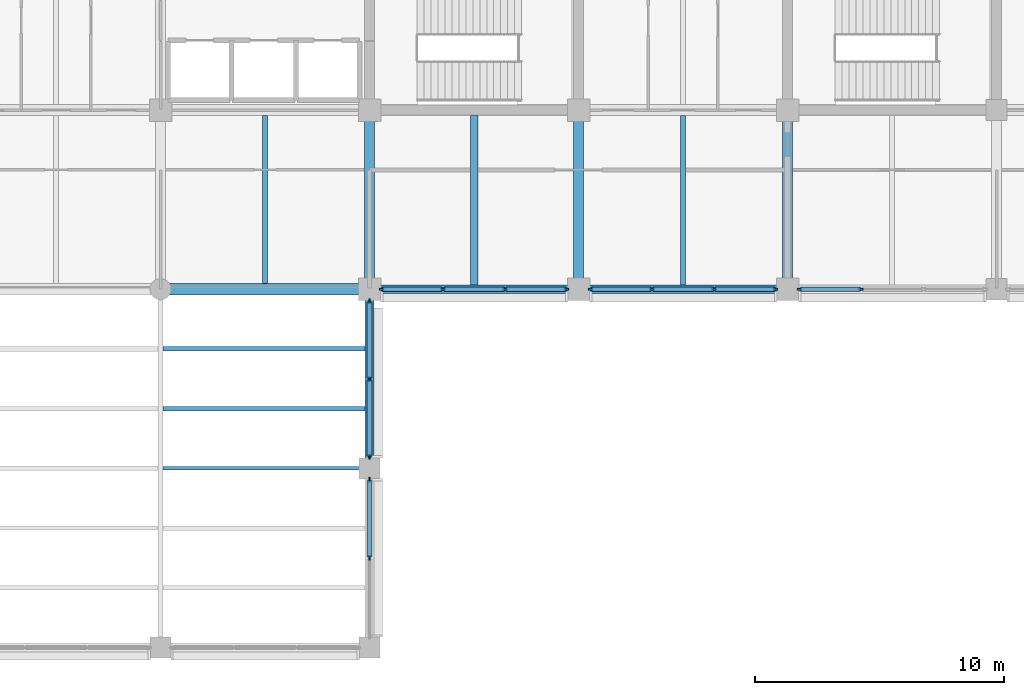
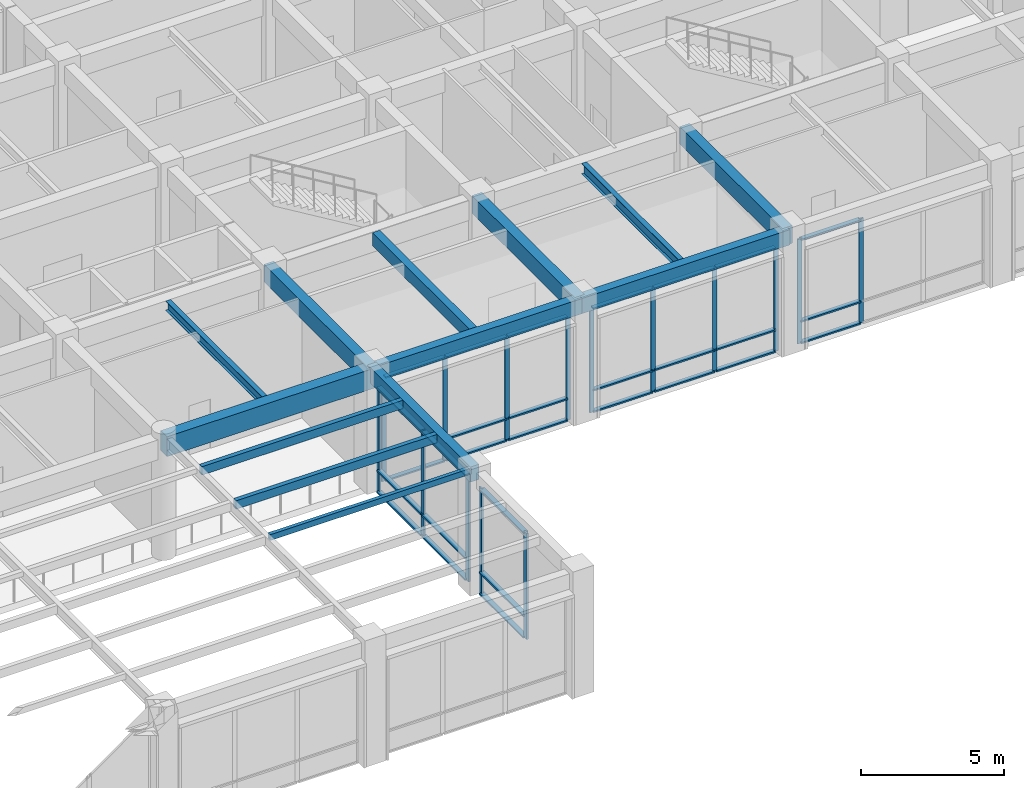
# One storey, part 12 of 58: 47 members, 11 beams, 5 elements without a shape of their own.
"""IFC4 building model written with IfcOpenShell, lengths in metres."""

from ifc_helpers import new_model, si_unit, direction, frame, origin, origin_2d, place, context, subcontext, project, spatial, rectangle, hollow_rectangle, i_section, extrude, material, layer, layer_set, material_profile, profile_set, type_object, element, aggregate, save


model = new_model("IFC4")

# Units and contexts
model_context = context("Model", 3, precision=1e-05, world=origin(), true_north=direction((0.0, 1.0)))
body_context = subcontext(model_context, "Body", "Model", "MODEL_VIEW")
ifc_project = project(units=[si_unit("LENGTHUNIT", "METRE"), si_unit("AREAUNIT", "SQUARE_METRE"), si_unit("VOLUMEUNIT", "CUBIC_METRE"), si_unit("PLANEANGLEUNIT", "RADIAN"), si_unit("MASSUNIT", "GRAM", prefix="KILO")], contexts=[model_context])

# Site, building, storey
site_placement = place(None, origin())
site = spatial("IfcSite", under=ifc_project, at=site_placement, CompositionType="ELEMENT")
building_placement = place(site_placement, origin())
building = spatial("IfcBuilding", under=site, at=building_placement, Name="Chengyuan Square Courthouse", CompositionType="ELEMENT")
storey_placement = place(building_placement, frame((0.0, 0.0, 16.199951171875)))
storey = spatial("IfcBuildingStorey", under=building, at=storey_placement, Name="L04", CompositionType="ELEMENT", Elevation=16.199951171875)

# Beams
ifc_material_1 = material(Name="Concrete C40", Category="concrete")
ifc_material_profile_1 = material_profile(ifc_material_1, rectangle(XDim=0.449951171875, YDim=0.85009765625, at=origin_2d()), Name="RC-BM-450x850")
ifc_profile_set_1 = profile_set([ifc_material_profile_1], Name="Concrete C40")
beam_type_1 = type_object("IfcBeamType", Name="BM-01", PredefinedType="USERDEFINED", material=ifc_profile_set_1)
beam_1_placement = place(storey_placement, frame((92.39990234375, 79.199951171875, 4.695068359375), z_axis=(1.0, 0.0, 0.0), x_axis=(0.0, 1.0, 0.0)))
element("IfcBeam", 1, at=beam_1_placement, inside=storey, type_object=beam_type_1, Name="Girder BM-L04-2872", ObjectType="GIRDER", PredefinedType="USERDEFINED", context=body_context, shape_type="SweptSolid", body=[
    extrude(rectangle(XDim=0.449951171875, YDim=0.85009765625, at=origin_2d()), origin(), (0.0, 0.0, 1.0), 8.400146484375),
])
ifc_material_profile_2 = material_profile(ifc_material_1, rectangle(XDim=0.39990234375, YDim=0.75, at=origin_2d()), Name="RC-BM-400x750")
ifc_profile_set_2 = profile_set([ifc_material_profile_2], Name="Concrete C40")
beam_type_2 = type_object("IfcBeamType", Name="BM-02", PredefinedType="USERDEFINED", material=ifc_profile_set_2)
for number, where, z_axis, x_axis, name in (
    (2, (100.800048828125, 79.199951171875, 4.7451171875), (0.0, 1.0, 0.0), (-1.0, 0.0, 0.0), "Girder BM-L04-3042"),
    (3, (109.199951171875, 79.199951171875, 4.7451171875), (0.0, 1.0, 0.0), (-1.0, 0.0, 0.0), "Girder BM-L04-3047"),
    (4, (117.60009765625, 79.199951171875, 4.7451171875), (0.0, 1.0, 0.0), (-1.0, 0.0, 0.0), "Girder BM-L04-3052"),
):
    element("IfcBeam", number, at=place(storey_placement, frame(where, z_axis=z_axis, x_axis=x_axis)), inside=storey, type_object=beam_type_2, Name=name, ObjectType="GIRDER", PredefinedType="USERDEFINED", context=body_context, shape_type="SweptSolid", body=[
        extrude(rectangle(XDim=0.39990234375, YDim=0.75, at=origin_2d()), origin(), (0.0, 0.0, 1.0), 7.199951171875),
    ])
ifc_material_profile_3 = material_profile(ifc_material_1, rectangle(XDim=0.35009765625, YDim=0.64990234375, at=origin_2d()), Name="RC-BM-350x650")
ifc_profile_set_3 = profile_set([ifc_material_profile_3], Name="Concrete C40")
beam_type_3 = type_object("IfcBeamType", Name="BM-03", PredefinedType="SPANDREL", material=ifc_profile_set_3)
beam_2_placement = place(storey_placement, frame((100.800048828125, 79.199951171875, 4.795166015625), z_axis=(1.0, 0.0, 0.0), x_axis=(0.0, 1.0, 0.0)))
element("IfcBeam", 5, at=beam_2_placement, inside=storey, type_object=beam_type_3, Name="Girder BM-L04-2873", PredefinedType="SPANDREL", context=body_context, shape_type="SweptSolid", body=[
    extrude(rectangle(XDim=0.35009765625, YDim=0.64990234375, at=origin_2d()), origin(), (0.0, 0.0, 1.0), 8.39990234375),
])
beam_3_placement = place(storey_placement, frame((109.199951171875, 79.199951171875, 4.795166015625), z_axis=(1.0, 0.0, 0.0), x_axis=(0.0, 1.0, 0.0)))
element("IfcBeam", 6, at=beam_3_placement, inside=storey, type_object=beam_type_3, Name="Girder BM-L04-2874", PredefinedType="SPANDREL", context=body_context, shape_type="SweptSolid", body=[
    extrude(rectangle(XDim=0.35009765625, YDim=0.64990234375, at=origin_2d()), origin(), (0.0, 0.0, 1.0), 8.400146484375),
])
beam_4_placement = place(storey_placement, frame((100.800048828125, 72.0, 4.85498046875), z_axis=(0.0, 1.0, 0.0), x_axis=(-1.0, 0.0, 0.0)))
element("IfcBeam", 7, at=beam_4_placement, inside=storey, type_object=beam_type_3, Name="Girder BM-L04-3041", PredefinedType="SPANDREL", context=body_context, shape_type="SweptSolid", body=[
    extrude(rectangle(XDim=0.35009765625, YDim=0.64990234375, at=origin_2d()), origin(), (0.0, 0.0, 1.0), 7.199951171875),
])
ifc_material_profile_4 = material_profile(ifc_material_1, rectangle(XDim=0.300048828125, YDim=0.550048828125, at=origin_2d()), Name="RC-BM-300x550")
ifc_profile_set_4 = profile_set([ifc_material_profile_4], Name="Concrete C40")
beam_type_4 = type_object("IfcBeamType", Name="BM-04", PredefinedType="BEAM", material=ifc_profile_set_4)
beam_5_placement = place(storey_placement, frame((105.0, 79.375, 4.844970703125), z_axis=(0.0, 1.0, 0.0), x_axis=(-1.0, 0.0, 0.0)))
element("IfcBeam", 8, at=beam_5_placement, inside=storey, type_object=beam_type_4, Name="Secondary Floor Beam SBM-L04-3152", PredefinedType="BEAM", context=body_context, shape_type="SweptSolid", body=[
    extrude(rectangle(XDim=0.300048828125, YDim=0.550048828125, at=origin_2d()), origin(), (0.0, 0.0, 1.0), 6.800048828125),
])
ifc_material_2 = material(Name="Steel Q355B", Category="steel")
ifc_material_profile_5 = material_profile(ifc_material_2, i_section(OverallWidth=0.199951171875, OverallDepth=0.449951171875, WebThickness=0.009033203125, FlangeThickness=0.013916015625, at=origin_2d()), Name="HN 450x200x9x14")
ifc_profile_set_5 = profile_set([ifc_material_profile_5], Name="Steel Q355B")
beam_type_5 = type_object("IfcBeamType", Name="BM-06", PredefinedType="BEAM", material=ifc_profile_set_5)
beam_6_placement = place(storey_placement, frame((113.39990234375, 79.375, 4.89501953125), z_axis=(0.0, 1.0, 0.0), x_axis=(-1.0, 0.0, 0.0)))
element("IfcBeam", 9, at=beam_6_placement, inside=storey, type_object=beam_type_5, Name="Secondary Floor Beam SBM-L04-3155", PredefinedType="BEAM", context=body_context, shape_type="SweptSolid", body=[
    extrude(i_section(OverallWidth=0.199951171875, OverallDepth=0.449951171875, WebThickness=0.009033203125, FlangeThickness=0.013916015625, at=origin_2d()), origin(), (0.0, 0.0, 1.0), 6.800048828125),
])
ifc_material_profile_6 = material_profile(ifc_material_2, i_section(OverallWidth=0.199951171875, OverallDepth=0.39990234375, WebThickness=0.008056640625, FlangeThickness=0.012939453125, at=origin_2d()), Name="HN 400x200x8x13")
ifc_profile_set_6 = profile_set([ifc_material_profile_6], Name="Steel Q355B")
beam_type_6 = type_object("IfcBeamType", Name="BM-07", PredefinedType="BEAM", material=ifc_profile_set_6)
beam_7_placement = place(storey_placement, frame((96.60009765625, 79.425048828125, 4.920166015625), z_axis=(0.0, 1.0, 0.0), x_axis=(-1.0, 0.0, 0.0)))
element("IfcBeam", 10, at=beam_7_placement, inside=storey, type_object=beam_type_6, Name="Secondary Floor Beam SBM-L04-3148", PredefinedType="BEAM", context=body_context, shape_type="SweptSolid", body=[
    extrude(i_section(OverallWidth=0.199951171875, OverallDepth=0.39990234375, WebThickness=0.008056640625, FlangeThickness=0.012939453125, at=origin_2d()), origin(), (0.0, 0.0, 1.0), 6.75),
])
ifc_material_profile_7 = material_profile(ifc_material_2, hollow_rectangle(XDim=0.14990234375, YDim=0.25, WallThickness=0.010009765625, at=origin_2d()), Name="RHS 250x150x10")
ifc_profile_set_7 = profile_set([ifc_material_profile_7], Name="Steel Q355B")
beam_type_7 = type_object("IfcBeamType", Name="BM-10", PredefinedType="BEAM", material=ifc_profile_set_7)
beam_8_placement = place(storey_placement, frame((92.5, 72.0, 5.054931640625), z_axis=(1.0, 0.0, 0.0), x_axis=(0.0, 1.0, 0.0)))
element("IfcBeam", 11, at=beam_8_placement, inside=storey, type_object=beam_type_7, Name="Skylight Framing Beam SKB-L04-18", PredefinedType="BEAM", context=body_context, shape_type="SweptSolid", body=[
    extrude(hollow_rectangle(XDim=0.14990234375, YDim=0.25, WallThickness=0.010009765625, at=origin_2d()), origin(), (0.0, 0.0, 1.0), 8.125),
])

# Curtain wall, members
ifc_material_3 = material(Name="Unitised Aluminium and Triple Low-E Glass", Category="aluminium")
ifc_layer_1 = layer(ifc_material_3, 0.179931640625)
ifc_layer_set_1 = layer_set([ifc_layer_1], Name="Unitised Aluminium and Triple Low-E Glass")
curtain_wall_type_1 = type_object("IfcCurtainWallType", Name="CW-10", PredefinedType="USERDEFINED", material=ifc_layer_set_1)
curtain_wall_1_placement = place(storey_placement, origin())
curtain_wall_1 = element("IfcCurtainWall", 12, at=curtain_wall_1_placement, inside=storey, type_object=curtain_wall_type_1, Name="Unitised Curtain Wall CW-L04-148", ObjectType="UNITISED CURTAIN WALL", PredefinedType="USERDEFINED")
ifc_material_4 = material(Name="Aluminium 6063-T6 Frame", Category="aluminium")
ifc_material_profile_8 = material_profile(ifc_material_4, rectangle(XDim=0.06494140625, YDim=0.179931640625, at=origin_2d()), Name="CW-MUL-65x180")
ifc_profile_set_8 = profile_set([ifc_material_profile_8], Name="Aluminium 6063-T6 Frame")
member_type_1 = type_object("IfcMemberType", Name="CWM-02", PredefinedType="MULLION", material=ifc_profile_set_8)
member_1_placement = place(storey_placement, frame((101.282470703125, 79.199951171875, 0.0), z_axis=(0.0, 0.0, 1.0), x_axis=(0.0, 1.0, 0.0)))
member_1 = element("IfcMember", 13, at=member_1_placement, type_object=member_type_1, Name="CW-10 mullion 1", PredefinedType="MULLION", context=body_context, shape_type="SweptSolid", body=[
    extrude(rectangle(XDim=0.06494140625, YDim=0.179931640625, at=origin_2d()), origin(), (0.0, 0.0, 1.0), 4.469970703125),
])
member_2_placement = place(storey_placement, frame((103.75, 79.199951171875, 0.0), z_axis=(0.0, 0.0, 1.0), x_axis=(0.0, 1.0, 0.0)))
member_2 = element("IfcMember", 14, at=member_2_placement, type_object=member_type_1, Name="CW-10 mullion 2", PredefinedType="MULLION", context=body_context, shape_type="SweptSolid", body=[
    extrude(rectangle(XDim=0.06494140625, YDim=0.179931640625, at=origin_2d()), origin(), (0.0, 0.0, 1.0), 4.469970703125),
])
member_3_placement = place(storey_placement, frame((106.25, 79.199951171875, 0.0), z_axis=(0.0, 0.0, 1.0), x_axis=(0.0, 1.0, 0.0)))
member_3 = element("IfcMember", 15, at=member_3_placement, type_object=member_type_1, Name="CW-10 mullion 3", PredefinedType="MULLION", context=body_context, shape_type="SweptSolid", body=[
    extrude(rectangle(XDim=0.06494140625, YDim=0.179931640625, at=origin_2d()), origin(), (0.0, 0.0, 1.0), 4.469970703125),
])
member_4_placement = place(storey_placement, frame((108.717529296875, 79.199951171875, 0.0), z_axis=(0.0, 0.0, 1.0), x_axis=(0.0, 1.0, 0.0)))
member_4 = element("IfcMember", 16, at=member_4_placement, type_object=member_type_1, Name="CW-10 mullion 4", PredefinedType="MULLION", context=body_context, shape_type="SweptSolid", body=[
    extrude(rectangle(XDim=0.06494140625, YDim=0.179931640625, at=origin_2d()), origin(), (0.0, 0.0, 1.0), 4.469970703125),
])

curtain_wall_2_placement = place(storey_placement, origin())
curtain_wall_2 = element("IfcCurtainWall", 17, at=curtain_wall_2_placement, inside=storey, type_object=curtain_wall_type_1, Name="Unitised Curtain Wall CW-L04-149", ObjectType="UNITISED CURTAIN WALL", PredefinedType="USERDEFINED")
member_5_placement = place(storey_placement, frame((109.6826171875, 79.199951171875, 0.0), z_axis=(0.0, 0.0, 1.0), x_axis=(0.0, 1.0, 0.0)))
member_5 = element("IfcMember", 18, at=member_5_placement, type_object=member_type_1, Name="CW-10 mullion 1", PredefinedType="MULLION", context=body_context, shape_type="SweptSolid", body=[
    extrude(rectangle(XDim=0.06494140625, YDim=0.179931640625, at=origin_2d()), origin(), (0.0, 0.0, 1.0), 4.469970703125),
])
member_6_placement = place(storey_placement, frame((112.14990234375, 79.199951171875, 0.0), z_axis=(0.0, 0.0, 1.0), x_axis=(0.0, 1.0, 0.0)))
member_6 = element("IfcMember", 19, at=member_6_placement, type_object=member_type_1, Name="CW-10 mullion 2", PredefinedType="MULLION", context=body_context, shape_type="SweptSolid", body=[
    extrude(rectangle(XDim=0.06494140625, YDim=0.179931640625, at=origin_2d()), origin(), (0.0, 0.0, 1.0), 4.469970703125),
])
member_7_placement = place(storey_placement, frame((114.64990234375, 79.199951171875, 0.0), z_axis=(0.0, 0.0, 1.0), x_axis=(0.0, 1.0, 0.0)))
member_7 = element("IfcMember", 20, at=member_7_placement, type_object=member_type_1, Name="CW-10 mullion 3", PredefinedType="MULLION", context=body_context, shape_type="SweptSolid", body=[
    extrude(rectangle(XDim=0.06494140625, YDim=0.179931640625, at=origin_2d()), origin(), (0.0, 0.0, 1.0), 4.469970703125),
])
member_8_placement = place(storey_placement, frame((117.117431640625, 79.199951171875, 0.0), z_axis=(0.0, 0.0, 1.0), x_axis=(0.0, 1.0, 0.0)))
member_8 = element("IfcMember", 21, at=member_8_placement, type_object=member_type_1, Name="CW-10 mullion 4", PredefinedType="MULLION", context=body_context, shape_type="SweptSolid", body=[
    extrude(rectangle(XDim=0.06494140625, YDim=0.179931640625, at=origin_2d()), origin(), (0.0, 0.0, 1.0), 4.469970703125),
])

curtain_wall_3_placement = place(storey_placement, origin())
curtain_wall_3 = element("IfcCurtainWall", 22, at=curtain_wall_3_placement, inside=storey, type_object=curtain_wall_type_1, Name="Unitised Curtain Wall CW-L04-150", ObjectType="UNITISED CURTAIN WALL", PredefinedType="USERDEFINED")
member_9_placement = place(storey_placement, frame((118.08251953125, 79.199951171875, 0.0), z_axis=(0.0, 0.0, 1.0), x_axis=(0.0, 1.0, 0.0)))
member_9 = element("IfcMember", 23, at=member_9_placement, type_object=member_type_1, Name="CW-10 mullion 1", PredefinedType="MULLION", context=body_context, shape_type="SweptSolid", body=[
    extrude(rectangle(XDim=0.06494140625, YDim=0.179931640625, at=origin_2d()), origin(), (0.0, 0.0, 1.0), 4.469970703125),
])
member_10_placement = place(storey_placement, frame((120.558349609375, 79.199951171875, 0.0), z_axis=(0.0, 0.0, 1.0), x_axis=(0.0, 1.0, 0.0)))
member_10 = element("IfcMember", 24, at=member_10_placement, type_object=member_type_1, Name="CW-10 mullion 2", PredefinedType="MULLION", context=body_context, shape_type="SweptSolid", body=[
    extrude(rectangle(XDim=0.06494140625, YDim=0.179931640625, at=origin_2d()), origin(), (0.0, 0.0, 1.0), 4.469970703125),
])

ifc_layer_2 = layer(ifc_material_3, 0.199951171875)
ifc_layer_set_2 = layer_set([ifc_layer_2], Name="Unitised Aluminium and Triple Low-E Glass")
curtain_wall_type_2 = type_object("IfcCurtainWallType", Name="CW-23", PredefinedType="USERDEFINED", material=ifc_layer_set_2)
curtain_wall_4_placement = place(storey_placement, origin())
curtain_wall_4 = element("IfcCurtainWall", 25, at=curtain_wall_4_placement, inside=storey, type_object=curtain_wall_type_2, Name="Unitised Curtain Wall CW-L04-146", ObjectType="UNITISED CURTAIN WALL", PredefinedType="USERDEFINED")
ifc_material_profile_9 = material_profile(ifc_material_4, rectangle(XDim=0.070068359375, YDim=0.199951171875, at=origin_2d()), Name="CW-MUL-70x200")
ifc_profile_set_9 = profile_set([ifc_material_profile_9], Name="Aluminium 6063-T6 Frame")
member_type_2 = type_object("IfcMemberType", Name="CWM-03", PredefinedType="MULLION", material=ifc_profile_set_9)
member_11_placement = place(storey_placement, frame((100.800048828125, 68.39990234375, 0.0), z_axis=(0.0, 0.0, 1.0), x_axis=(-1.0, 0.0, 0.0)))
member_11 = element("IfcMember", 26, at=member_11_placement, type_object=member_type_2, Name="CW-23 mullion 2", PredefinedType="MULLION", context=body_context, shape_type="SweptSolid", body=[
    extrude(rectangle(XDim=0.070068359375, YDim=0.199951171875, at=origin_2d()), origin(), (0.0, 0.0, 1.0), 4.530029296875),
])
member_12_placement = place(storey_placement, frame((100.800048828125, 71.5400390625, 0.0), z_axis=(0.0, 0.0, 1.0), x_axis=(-1.0, 0.0, 0.0)))
member_12 = element("IfcMember", 27, at=member_12_placement, type_object=member_type_2, Name="CW-23 mullion 3", PredefinedType="MULLION", context=body_context, shape_type="SweptSolid", body=[
    extrude(rectangle(XDim=0.070068359375, YDim=0.199951171875, at=origin_2d()), origin(), (0.0, 0.0, 1.0), 4.530029296875),
])

curtain_wall_5_placement = place(storey_placement, origin())
curtain_wall_5 = element("IfcCurtainWall", 28, at=curtain_wall_5_placement, inside=storey, type_object=curtain_wall_type_2, Name="Unitised Curtain Wall CW-L04-147", ObjectType="UNITISED CURTAIN WALL", PredefinedType="USERDEFINED")
member_13_placement = place(storey_placement, frame((100.800048828125, 72.4599609375, 0.0), z_axis=(0.0, 0.0, 1.0), x_axis=(-1.0, 0.0, 0.0)))
member_13 = element("IfcMember", 29, at=member_13_placement, type_object=member_type_2, Name="CW-23 mullion 1", PredefinedType="MULLION", context=body_context, shape_type="SweptSolid", body=[
    extrude(rectangle(XDim=0.070068359375, YDim=0.199951171875, at=origin_2d()), origin(), (0.0, 0.0, 1.0), 4.530029296875),
])
member_14_placement = place(storey_placement, frame((100.800048828125, 75.58740234375, 0.0), z_axis=(0.0, 0.0, 1.0), x_axis=(-1.0, 0.0, 0.0)))
member_14 = element("IfcMember", 30, at=member_14_placement, type_object=member_type_2, Name="CW-23 mullion 2", PredefinedType="MULLION", context=body_context, shape_type="SweptSolid", body=[
    extrude(rectangle(XDim=0.070068359375, YDim=0.199951171875, at=origin_2d()), origin(), (0.0, 0.0, 1.0), 4.530029296875),
])
member_15_placement = place(storey_placement, frame((100.800048828125, 78.715087890625, 0.0), z_axis=(0.0, 0.0, 1.0), x_axis=(-1.0, 0.0, 0.0)))
member_15 = element("IfcMember", 31, at=member_15_placement, type_object=member_type_2, Name="CW-23 mullion 3", PredefinedType="MULLION", context=body_context, shape_type="SweptSolid", body=[
    extrude(rectangle(XDim=0.070068359375, YDim=0.199951171875, at=origin_2d()), origin(), (0.0, 0.0, 1.0), 4.530029296875),
])

# Member
ifc_material_profile_10 = material_profile(ifc_material_4, rectangle(XDim=0.179931640625, YDim=0.06494140625, at=origin_2d()), Name="CW-TRN-65x140")
ifc_profile_set_10 = profile_set([ifc_material_profile_10], Name="Aluminium 6063-T6 Frame")
member_type_3 = type_object("IfcMemberType", Name="CWT-02", PredefinedType="USERDEFINED", material=ifc_profile_set_10)
member_16_placement = place(storey_placement, frame((101.31494140625, 79.199951171875, 0.032470703125), z_axis=(1.0, 0.0, 0.0), x_axis=(0.0, 1.0, 0.0)))
member_16 = element("IfcMember", 32, at=member_16_placement, type_object=member_type_3, Name="CW-10 transom 1.1", ObjectType="TRANSOM", PredefinedType="USERDEFINED", context=body_context, shape_type="SweptSolid", body=[
    extrude(rectangle(XDim=0.179931640625, YDim=0.06494140625, at=origin_2d()), origin(), (0.0, 0.0, 1.0), 2.402587890625),
])

member_17_placement = place(storey_placement, frame((101.31494140625, 79.199951171875, 0.949951171875), z_axis=(1.0, 0.0, 0.0), x_axis=(0.0, 1.0, 0.0)))
member_17 = element("IfcMember", 33, at=member_17_placement, type_object=member_type_3, Name="CW-10 transom 1.2", ObjectType="TRANSOM", PredefinedType="USERDEFINED", context=body_context, shape_type="SweptSolid", body=[
    extrude(rectangle(XDim=0.179931640625, YDim=0.06494140625, at=origin_2d()), origin(), (0.0, 0.0, 1.0), 2.402587890625),
])

member_18_placement = place(storey_placement, frame((101.31494140625, 79.199951171875, 4.4375), z_axis=(1.0, 0.0, 0.0), x_axis=(0.0, 1.0, 0.0)))
member_18 = element("IfcMember", 34, at=member_18_placement, type_object=member_type_3, Name="CW-10 transom 1.3", ObjectType="TRANSOM", PredefinedType="USERDEFINED", context=body_context, shape_type="SweptSolid", body=[
    extrude(rectangle(XDim=0.179931640625, YDim=0.06494140625, at=origin_2d()), origin(), (0.0, 0.0, 1.0), 2.402587890625),
])

member_19_placement = place(storey_placement, frame((103.782470703125, 79.199951171875, 0.032470703125), z_axis=(1.0, 0.0, 0.0), x_axis=(0.0, 1.0, 0.0)))
member_19 = element("IfcMember", 35, at=member_19_placement, type_object=member_type_3, Name="CW-10 transom 2.1", ObjectType="TRANSOM", PredefinedType="USERDEFINED", context=body_context, shape_type="SweptSolid", body=[
    extrude(rectangle(XDim=0.179931640625, YDim=0.06494140625, at=origin_2d()), origin(), (0.0, 0.0, 1.0), 2.43505859375),
])

member_20_placement = place(storey_placement, frame((103.782470703125, 79.199951171875, 0.949951171875), z_axis=(1.0, 0.0, 0.0), x_axis=(0.0, 1.0, 0.0)))
member_20 = element("IfcMember", 36, at=member_20_placement, type_object=member_type_3, Name="CW-10 transom 2.2", ObjectType="TRANSOM", PredefinedType="USERDEFINED", context=body_context, shape_type="SweptSolid", body=[
    extrude(rectangle(XDim=0.179931640625, YDim=0.06494140625, at=origin_2d()), origin(), (0.0, 0.0, 1.0), 2.43505859375),
])

member_21_placement = place(storey_placement, frame((103.782470703125, 79.199951171875, 4.4375), z_axis=(1.0, 0.0, 0.0), x_axis=(0.0, 1.0, 0.0)))
member_21 = element("IfcMember", 37, at=member_21_placement, type_object=member_type_3, Name="CW-10 transom 2.3", ObjectType="TRANSOM", PredefinedType="USERDEFINED", context=body_context, shape_type="SweptSolid", body=[
    extrude(rectangle(XDim=0.179931640625, YDim=0.06494140625, at=origin_2d()), origin(), (0.0, 0.0, 1.0), 2.43505859375),
])

member_22_placement = place(storey_placement, frame((106.282470703125, 79.199951171875, 0.032470703125), z_axis=(1.0, 0.0, 0.0), x_axis=(0.0, 1.0, 0.0)))
member_22 = element("IfcMember", 38, at=member_22_placement, type_object=member_type_3, Name="CW-10 transom 3.1", ObjectType="TRANSOM", PredefinedType="USERDEFINED", context=body_context, shape_type="SweptSolid", body=[
    extrude(rectangle(XDim=0.179931640625, YDim=0.06494140625, at=origin_2d()), origin(), (0.0, 0.0, 1.0), 2.402587890625),
])

member_23_placement = place(storey_placement, frame((106.282470703125, 79.199951171875, 0.949951171875), z_axis=(1.0, 0.0, 0.0), x_axis=(0.0, 1.0, 0.0)))
member_23 = element("IfcMember", 39, at=member_23_placement, type_object=member_type_3, Name="CW-10 transom 3.2", ObjectType="TRANSOM", PredefinedType="USERDEFINED", context=body_context, shape_type="SweptSolid", body=[
    extrude(rectangle(XDim=0.179931640625, YDim=0.06494140625, at=origin_2d()), origin(), (0.0, 0.0, 1.0), 2.402587890625),
])

member_24_placement = place(storey_placement, frame((106.282470703125, 79.199951171875, 4.4375), z_axis=(1.0, 0.0, 0.0), x_axis=(0.0, 1.0, 0.0)))
member_24 = element("IfcMember", 40, at=member_24_placement, type_object=member_type_3, Name="CW-10 transom 3.3", ObjectType="TRANSOM", PredefinedType="USERDEFINED", context=body_context, shape_type="SweptSolid", body=[
    extrude(rectangle(XDim=0.179931640625, YDim=0.06494140625, at=origin_2d()), origin(), (0.0, 0.0, 1.0), 2.402587890625),
])

aggregate(curtain_wall_1, [member_1, member_2, member_3, member_4, member_16, member_17, member_18, member_19, member_20, member_21, member_22, member_23, member_24])

member_25_placement = place(storey_placement, frame((109.715087890625, 79.199951171875, 0.032470703125), z_axis=(1.0, 0.0, 0.0), x_axis=(0.0, 1.0, 0.0)))
member_25 = element("IfcMember", 41, at=member_25_placement, type_object=member_type_3, Name="CW-10 transom 1.1", ObjectType="TRANSOM", PredefinedType="USERDEFINED", context=body_context, shape_type="SweptSolid", body=[
    extrude(rectangle(XDim=0.179931640625, YDim=0.06494140625, at=origin_2d()), origin(), (0.0, 0.0, 1.0), 2.40234375),
])

member_26_placement = place(storey_placement, frame((109.715087890625, 79.199951171875, 0.949951171875), z_axis=(1.0, 0.0, 0.0), x_axis=(0.0, 1.0, 0.0)))
member_26 = element("IfcMember", 42, at=member_26_placement, type_object=member_type_3, Name="CW-10 transom 1.2", ObjectType="TRANSOM", PredefinedType="USERDEFINED", context=body_context, shape_type="SweptSolid", body=[
    extrude(rectangle(XDim=0.179931640625, YDim=0.06494140625, at=origin_2d()), origin(), (0.0, 0.0, 1.0), 2.40234375),
])

member_27_placement = place(storey_placement, frame((109.715087890625, 79.199951171875, 4.4375), z_axis=(1.0, 0.0, 0.0), x_axis=(0.0, 1.0, 0.0)))
member_27 = element("IfcMember", 43, at=member_27_placement, type_object=member_type_3, Name="CW-10 transom 1.3", ObjectType="TRANSOM", PredefinedType="USERDEFINED", context=body_context, shape_type="SweptSolid", body=[
    extrude(rectangle(XDim=0.179931640625, YDim=0.06494140625, at=origin_2d()), origin(), (0.0, 0.0, 1.0), 2.40234375),
])

member_28_placement = place(storey_placement, frame((112.1826171875, 79.199951171875, 0.032470703125), z_axis=(1.0, 0.0, 0.0), x_axis=(0.0, 1.0, 0.0)))
member_28 = element("IfcMember", 44, at=member_28_placement, type_object=member_type_3, Name="CW-10 transom 2.1", ObjectType="TRANSOM", PredefinedType="USERDEFINED", context=body_context, shape_type="SweptSolid", body=[
    extrude(rectangle(XDim=0.179931640625, YDim=0.06494140625, at=origin_2d()), origin(), (0.0, 0.0, 1.0), 2.434814453125),
])

member_29_placement = place(storey_placement, frame((112.1826171875, 79.199951171875, 0.949951171875), z_axis=(1.0, 0.0, 0.0), x_axis=(0.0, 1.0, 0.0)))
member_29 = element("IfcMember", 45, at=member_29_placement, type_object=member_type_3, Name="CW-10 transom 2.2", ObjectType="TRANSOM", PredefinedType="USERDEFINED", context=body_context, shape_type="SweptSolid", body=[
    extrude(rectangle(XDim=0.179931640625, YDim=0.06494140625, at=origin_2d()), origin(), (0.0, 0.0, 1.0), 2.434814453125),
])

member_30_placement = place(storey_placement, frame((112.1826171875, 79.199951171875, 4.4375), z_axis=(1.0, 0.0, 0.0), x_axis=(0.0, 1.0, 0.0)))
member_30 = element("IfcMember", 46, at=member_30_placement, type_object=member_type_3, Name="CW-10 transom 2.3", ObjectType="TRANSOM", PredefinedType="USERDEFINED", context=body_context, shape_type="SweptSolid", body=[
    extrude(rectangle(XDim=0.179931640625, YDim=0.06494140625, at=origin_2d()), origin(), (0.0, 0.0, 1.0), 2.434814453125),
])

member_31_placement = place(storey_placement, frame((114.6826171875, 79.199951171875, 0.032470703125), z_axis=(1.0, 0.0, 0.0), x_axis=(0.0, 1.0, 0.0)))
member_31 = element("IfcMember", 47, at=member_31_placement, type_object=member_type_3, Name="CW-10 transom 3.1", ObjectType="TRANSOM", PredefinedType="USERDEFINED", context=body_context, shape_type="SweptSolid", body=[
    extrude(rectangle(XDim=0.179931640625, YDim=0.06494140625, at=origin_2d()), origin(), (0.0, 0.0, 1.0), 2.40234375),
])

member_32_placement = place(storey_placement, frame((114.6826171875, 79.199951171875, 0.949951171875), z_axis=(1.0, 0.0, 0.0), x_axis=(0.0, 1.0, 0.0)))
member_32 = element("IfcMember", 48, at=member_32_placement, type_object=member_type_3, Name="CW-10 transom 3.2", ObjectType="TRANSOM", PredefinedType="USERDEFINED", context=body_context, shape_type="SweptSolid", body=[
    extrude(rectangle(XDim=0.179931640625, YDim=0.06494140625, at=origin_2d()), origin(), (0.0, 0.0, 1.0), 2.40234375),
])

member_33_placement = place(storey_placement, frame((114.6826171875, 79.199951171875, 4.4375), z_axis=(1.0, 0.0, 0.0), x_axis=(0.0, 1.0, 0.0)))
member_33 = element("IfcMember", 49, at=member_33_placement, type_object=member_type_3, Name="CW-10 transom 3.3", ObjectType="TRANSOM", PredefinedType="USERDEFINED", context=body_context, shape_type="SweptSolid", body=[
    extrude(rectangle(XDim=0.179931640625, YDim=0.06494140625, at=origin_2d()), origin(), (0.0, 0.0, 1.0), 2.40234375),
])

aggregate(curtain_wall_2, [member_5, member_6, member_7, member_8, member_25, member_26, member_27, member_28, member_29, member_30, member_31, member_32, member_33])

member_34_placement = place(storey_placement, frame((118.114990234375, 79.199951171875, 0.032470703125), z_axis=(1.0, 0.0, 0.0), x_axis=(0.0, 1.0, 0.0)))
member_34 = element("IfcMember", 50, at=member_34_placement, type_object=member_type_3, Name="CW-10 transom 1.1", ObjectType="TRANSOM", PredefinedType="USERDEFINED", context=body_context, shape_type="SweptSolid", body=[
    extrude(rectangle(XDim=0.179931640625, YDim=0.06494140625, at=origin_2d()), origin(), (0.0, 0.0, 1.0), 2.410888671875),
])

member_35_placement = place(storey_placement, frame((118.114990234375, 79.199951171875, 0.949951171875), z_axis=(1.0, 0.0, 0.0), x_axis=(0.0, 1.0, 0.0)))
member_35 = element("IfcMember", 51, at=member_35_placement, type_object=member_type_3, Name="CW-10 transom 1.2", ObjectType="TRANSOM", PredefinedType="USERDEFINED", context=body_context, shape_type="SweptSolid", body=[
    extrude(rectangle(XDim=0.179931640625, YDim=0.06494140625, at=origin_2d()), origin(), (0.0, 0.0, 1.0), 2.410888671875),
])

member_36_placement = place(storey_placement, frame((118.114990234375, 79.199951171875, 4.4375), z_axis=(1.0, 0.0, 0.0), x_axis=(0.0, 1.0, 0.0)))
member_36 = element("IfcMember", 52, at=member_36_placement, type_object=member_type_3, Name="CW-10 transom 1.3", ObjectType="TRANSOM", PredefinedType="USERDEFINED", context=body_context, shape_type="SweptSolid", body=[
    extrude(rectangle(XDim=0.179931640625, YDim=0.06494140625, at=origin_2d()), origin(), (0.0, 0.0, 1.0), 2.410888671875),
])

aggregate(curtain_wall_3, [member_9, member_10, member_34, member_35, member_36])

ifc_material_profile_11 = material_profile(ifc_material_4, rectangle(XDim=0.199951171875, YDim=0.070068359375, at=origin_2d()), Name="CW-TRN-70x160")
ifc_profile_set_11 = profile_set([ifc_material_profile_11], Name="Aluminium 6063-T6 Frame")
member_type_4 = type_object("IfcMemberType", Name="CWT-03", PredefinedType="USERDEFINED", material=ifc_profile_set_11)
member_37_placement = place(storey_placement, frame((100.800048828125, 68.43505859375, 0.03515625), z_axis=(0.0, 1.0, 0.0), x_axis=(-1.0, 0.0, 0.0)))
member_37 = element("IfcMember", 53, at=member_37_placement, type_object=member_type_4, Name="CW-23 transom 2.1", ObjectType="TRANSOM", PredefinedType="USERDEFINED", context=body_context, shape_type="SweptSolid", body=[
    extrude(rectangle(XDim=0.199951171875, YDim=0.070068359375, at=origin_2d()), origin(), (0.0, 0.0, 1.0), 3.06982421875),
])

member_38_placement = place(storey_placement, frame((100.800048828125, 68.43505859375, 0.949951171875), z_axis=(0.0, 1.0, 0.0), x_axis=(-1.0, 0.0, 0.0)))
member_38 = element("IfcMember", 54, at=member_38_placement, type_object=member_type_4, Name="CW-23 transom 2.2", ObjectType="TRANSOM", PredefinedType="USERDEFINED", context=body_context, shape_type="SweptSolid", body=[
    extrude(rectangle(XDim=0.199951171875, YDim=0.070068359375, at=origin_2d()), origin(), (0.0, 0.0, 1.0), 3.06982421875),
])

member_39_placement = place(storey_placement, frame((100.800048828125, 68.43505859375, 4.4951171875), z_axis=(0.0, 1.0, 0.0), x_axis=(-1.0, 0.0, 0.0)))
member_39 = element("IfcMember", 55, at=member_39_placement, type_object=member_type_4, Name="CW-23 transom 2.3", ObjectType="TRANSOM", PredefinedType="USERDEFINED", context=body_context, shape_type="SweptSolid", body=[
    extrude(rectangle(XDim=0.199951171875, YDim=0.070068359375, at=origin_2d()), origin(), (0.0, 0.0, 1.0), 3.06982421875),
])

aggregate(curtain_wall_4, [member_11, member_12, member_37, member_38, member_39])

member_40_placement = place(storey_placement, frame((100.800048828125, 72.4951171875, 0.03515625), z_axis=(0.0, 1.0, 0.0), x_axis=(-1.0, 0.0, 0.0)))
member_40 = element("IfcMember", 56, at=member_40_placement, type_object=member_type_4, Name="CW-23 transom 1.1", ObjectType="TRANSOM", PredefinedType="USERDEFINED", context=body_context, shape_type="SweptSolid", body=[
    extrude(rectangle(XDim=0.199951171875, YDim=0.070068359375, at=origin_2d()), origin(), (0.0, 0.0, 1.0), 3.057373046875),
])

member_41_placement = place(storey_placement, frame((100.800048828125, 72.4951171875, 0.949951171875), z_axis=(0.0, 1.0, 0.0), x_axis=(-1.0, 0.0, 0.0)))
member_41 = element("IfcMember", 57, at=member_41_placement, type_object=member_type_4, Name="CW-23 transom 1.2", ObjectType="TRANSOM", PredefinedType="USERDEFINED", context=body_context, shape_type="SweptSolid", body=[
    extrude(rectangle(XDim=0.199951171875, YDim=0.070068359375, at=origin_2d()), origin(), (0.0, 0.0, 1.0), 3.057373046875),
])

member_42_placement = place(storey_placement, frame((100.800048828125, 72.4951171875, 4.4951171875), z_axis=(0.0, 1.0, 0.0), x_axis=(-1.0, 0.0, 0.0)))
member_42 = element("IfcMember", 58, at=member_42_placement, type_object=member_type_4, Name="CW-23 transom 1.3", ObjectType="TRANSOM", PredefinedType="USERDEFINED", context=body_context, shape_type="SweptSolid", body=[
    extrude(rectangle(XDim=0.199951171875, YDim=0.070068359375, at=origin_2d()), origin(), (0.0, 0.0, 1.0), 3.057373046875),
])

member_43_placement = place(storey_placement, frame((100.800048828125, 75.62255859375, 0.03515625), z_axis=(0.0, 1.0, 0.0), x_axis=(-1.0, 0.0, 0.0)))
member_43 = element("IfcMember", 59, at=member_43_placement, type_object=member_type_4, Name="CW-23 transom 2.1", ObjectType="TRANSOM", PredefinedType="USERDEFINED", context=body_context, shape_type="SweptSolid", body=[
    extrude(rectangle(XDim=0.199951171875, YDim=0.070068359375, at=origin_2d()), origin(), (0.0, 0.0, 1.0), 3.057373046875),
])

member_44_placement = place(storey_placement, frame((100.800048828125, 75.62255859375, 0.949951171875), z_axis=(0.0, 1.0, 0.0), x_axis=(-1.0, 0.0, 0.0)))
member_44 = element("IfcMember", 60, at=member_44_placement, type_object=member_type_4, Name="CW-23 transom 2.2", ObjectType="TRANSOM", PredefinedType="USERDEFINED", context=body_context, shape_type="SweptSolid", body=[
    extrude(rectangle(XDim=0.199951171875, YDim=0.070068359375, at=origin_2d()), origin(), (0.0, 0.0, 1.0), 3.057373046875),
])

member_45_placement = place(storey_placement, frame((100.800048828125, 75.62255859375, 4.4951171875), z_axis=(0.0, 1.0, 0.0), x_axis=(-1.0, 0.0, 0.0)))
member_45 = element("IfcMember", 61, at=member_45_placement, type_object=member_type_4, Name="CW-23 transom 2.3", ObjectType="TRANSOM", PredefinedType="USERDEFINED", context=body_context, shape_type="SweptSolid", body=[
    extrude(rectangle(XDim=0.199951171875, YDim=0.070068359375, at=origin_2d()), origin(), (0.0, 0.0, 1.0), 3.057373046875),
])

aggregate(curtain_wall_5, [member_13, member_14, member_15, member_40, member_41, member_42, member_43, member_44, member_45])

# Members
ifc_material_5 = material(Name="Glulam TCt28", Category="wood")
ifc_material_profile_12 = material_profile(ifc_material_5, rectangle(XDim=0.179931640625, YDim=0.360107421875, at=origin_2d()), Name="GL-PRL-180x360")
ifc_profile_set_12 = profile_set([ifc_material_profile_12], Name="Glulam TCt28")
member_type_5 = type_object("IfcMemberType", Name="PRL-01", PredefinedType="PURLIN", material=ifc_profile_set_12)
for number, where, z_axis, x_axis, name in (
    (62, (92.5, 74.39990234375, 5.0), (1.0, 0.0, 0.0), (0.0, 1.0, 0.0), "Glulam Skylight Acoustic Purlin PRL-SKY-19"),
    (63, (92.5, 76.800048828125, 5.0), (1.0, 0.0, 0.0), (0.0, 1.0, 0.0), "Glulam Skylight Acoustic Purlin PRL-SKY-20"),
):
    element("IfcMember", number, at=place(storey_placement, frame(where, z_axis=z_axis, x_axis=x_axis)), inside=storey, type_object=member_type_5, Name=name, PredefinedType="PURLIN", context=body_context, shape_type="SweptSolid", body=[
        extrude(rectangle(XDim=0.179931640625, YDim=0.360107421875, at=origin_2d()), origin(), (0.0, 0.0, 1.0), 8.125),
    ])

save(model, "model.ifc")
